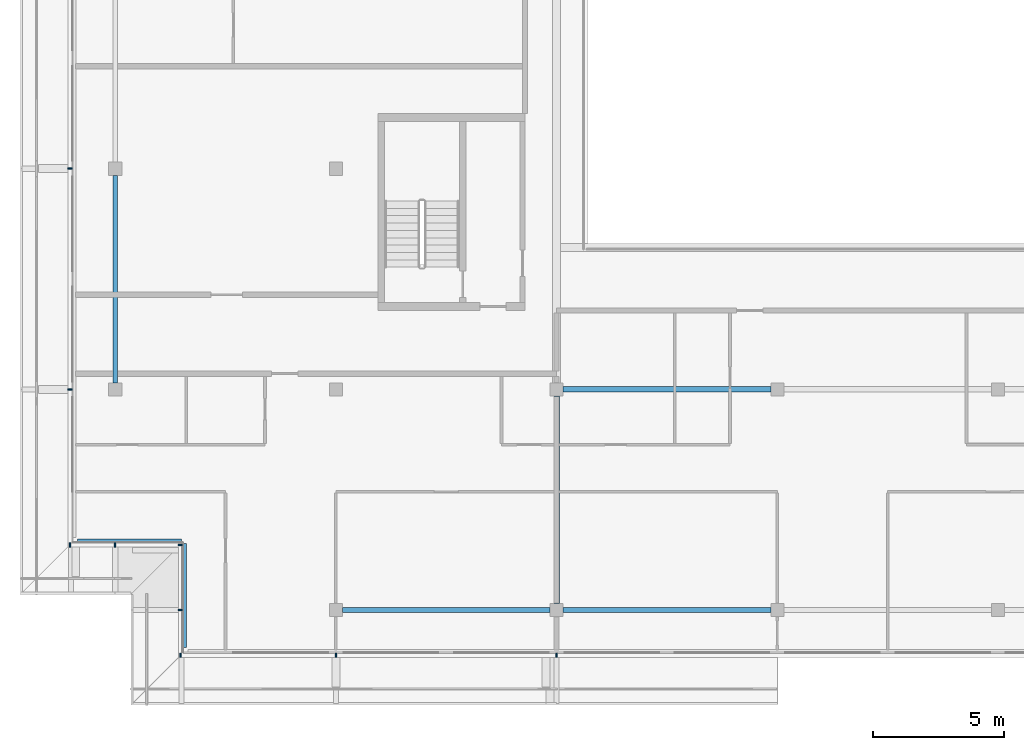
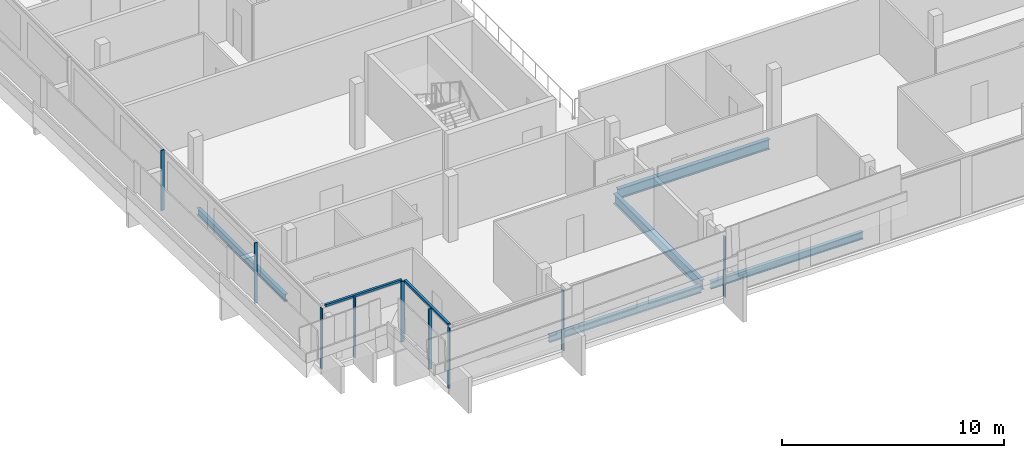
# One storey, part 2 of 27: 11 members, 5 beams, 4 elements without a shape of their own.
"""IFC4 building model written with IfcOpenShell, lengths in metres."""

from ifc_helpers import new_model, si_unit, direction, frame, origin, origin_2d, place, context, subcontext, project, spatial, rectangle, i_section, extrude, material, material_profile, profile_set, type_object, element, aggregate, save


model = new_model("IFC4")

# Units and contexts
model_context = context("Model", 3, precision=1e-05, world=origin(), true_north=direction((0.0, 1.0)))
body_context = subcontext(model_context, "Body", "Model", "MODEL_VIEW")
ifc_project = project(units=[si_unit("LENGTHUNIT", "METRE"), si_unit("AREAUNIT", "SQUARE_METRE"), si_unit("VOLUMEUNIT", "CUBIC_METRE"), si_unit("PLANEANGLEUNIT", "RADIAN"), si_unit("MASSUNIT", "GRAM", prefix="KILO")], contexts=[model_context])

# Site, building, storey
site_placement = place(None, origin())
site = spatial("IfcSite", under=ifc_project, at=site_placement, CompositionType="ELEMENT")
building_placement = place(site_placement, origin())
building = spatial("IfcBuilding", under=site, at=building_placement, Name="Saffron Gate Tower", CompositionType="ELEMENT")
storey_placement = place(building_placement, frame((0.0, 0.0, 274.35009765625)))
storey = spatial("IfcBuildingStorey", under=building, at=storey_placement, Name="L66", CompositionType="ELEMENT", Elevation=274.35009765625)

# Beams
ifc_material_1 = material(Name="Structural steel S355", Category="steel")
ifc_material_profile_1 = material_profile(ifc_material_1, i_section(OverallWidth=0.2099609375, OverallDepth=0.550048828125, WebThickness=0.010986328125, FlangeThickness=0.01708984375, FilletRadius=0.02392578125, at=origin_2d()))
ifc_profile_set_1 = profile_set([ifc_material_profile_1], Name="Structural steel S355")
beam_type_1 = type_object("IfcBeamType", Name="B12 IPE 550", PredefinedType="BEAM", material=ifc_profile_set_1)
for number, where, z_axis, x_axis, name in (
    (1, (75.0, 32.050048828125, -0.55517578125), (0.0, 1.0, 0.0), (-1.0, 0.0, 0.0), "B12 FLOOR GIRDER"),
    (2, (75.25, 40.199951171875, -0.55517578125), (1.0, 0.0, 0.0), (0.0, 1.0, 0.0), "B12 FLOOR GIRDER"),
):
    element("IfcBeam", number, at=place(storey_placement, frame(where, z_axis=z_axis, x_axis=x_axis)), inside=storey, type_object=beam_type_1, Name=name, PredefinedType="BEAM", context=body_context, shape_type="SweptSolid", body=[
        extrude(i_section(OverallWidth=0.2099609375, OverallDepth=0.550048828125, WebThickness=0.010986328125, FlangeThickness=0.01708984375, FilletRadius=0.02392578125, at=origin_2d()), origin(), (0.0, 0.0, 1.0), 7.89990234375),
    ])
ifc_material_profile_2 = material_profile(ifc_material_1, i_section(OverallWidth=0.179931640625, OverallDepth=0.39990234375, WebThickness=0.008544921875, FlangeThickness=0.013427734375, FilletRadius=0.02099609375, at=origin_2d()))
ifc_profile_set_2 = profile_set([ifc_material_profile_2], Name="Structural steel S355")
beam_type_2 = type_object("IfcBeamType", Name="B5 IPE 400", PredefinedType="SPANDREL", material=ifc_profile_set_2)
beam_placement = place(storey_placement, frame((58.199951171875, 40.449951171875, -0.47998046875), z_axis=(0.0, 1.0, 0.0), x_axis=(-1.0, 0.0, 0.0)))
element("IfcBeam", 3, at=beam_placement, inside=storey, type_object=beam_type_2, Name="B5 SPANDREL BEAM", PredefinedType="SPANDREL", context=body_context, shape_type="SweptSolid", body=[
    extrude(i_section(OverallWidth=0.179931640625, OverallDepth=0.39990234375, WebThickness=0.008544921875, FlangeThickness=0.013427734375, FilletRadius=0.02099609375, at=origin_2d()), origin(), (0.0, 0.0, 1.0), 7.900146484375),
])
for number, where, z_axis, x_axis, name in (
    (4, (66.85009765625, 31.800048828125, -0.47998046875), (1.0, 0.0, 0.0), (0.0, 1.0, 0.0), "B5 SPANDREL BEAM"),
    (5, (75.25, 31.800048828125, -0.47998046875), (1.0, 0.0, 0.0), (0.0, 1.0, 0.0), "B5 SPANDREL BEAM"),
):
    element("IfcBeam", number, at=place(storey_placement, frame(where, z_axis=z_axis, x_axis=x_axis)), inside=storey, type_object=beam_type_2, Name=name, PredefinedType="SPANDREL", context=body_context, shape_type="SweptSolid", body=[
        extrude(i_section(OverallWidth=0.179931640625, OverallDepth=0.39990234375, WebThickness=0.008544921875, FlangeThickness=0.013427734375, FilletRadius=0.02099609375, at=origin_2d()), origin(), (0.0, 0.0, 1.0), 7.89990234375),
    ])

# Curtain wall, members
ifc_material_2 = material(Name="Aluminium, bronze anodised", Category="aluminium")
curtain_wall_type_1 = type_object("IfcCurtainWallType", Name="CWS1 curtain wall front facade", PredefinedType="NOTDEFINED", material=ifc_material_2)
curtain_wall_1_placement = place(storey_placement, origin())
curtain_wall_1 = element("IfcCurtainWall", 6, at=curtain_wall_1_placement, inside=storey, type_object=curtain_wall_type_1, Name="CWS1 run 1", PredefinedType="NOTDEFINED")
ifc_material_profile_3 = material_profile(ifc_material_2, rectangle(XDim=0.159912109375, YDim=0.06005859375, at=origin_2d()))
ifc_profile_set_3 = profile_set([ifc_material_profile_3], Name="Aluminium, bronze anodised")
member_type_1 = type_object("IfcMemberType", Name="CWS1 mullion 60x160", PredefinedType="MULLION", material=ifc_profile_set_3)
member_1_placement = place(storey_placement, frame((60.679931640625, 30.080078125, 0.0), z_axis=(0.0, 0.0, 1.0), x_axis=(0.0, 1.0, 0.0)))
member_1 = element("IfcMember", 7, at=member_1_placement, type_object=member_type_1, Name="CWS1 mullion 1", PredefinedType="MULLION", context=body_context, shape_type="SweptSolid", body=[
    extrude(rectangle(XDim=0.159912109375, YDim=0.06005859375, at=origin_2d()), origin(), (0.0, 0.0, 1.0), 3.31982421875),
])
member_2_placement = place(storey_placement, frame((66.60009765625, 30.080078125, 0.0), z_axis=(0.0, 0.0, 1.0), x_axis=(0.0, 1.0, 0.0)))
member_2 = element("IfcMember", 8, at=member_2_placement, type_object=member_type_1, Name="CWS1 mullion 2", PredefinedType="MULLION", context=body_context, shape_type="SweptSolid", body=[
    extrude(rectangle(XDim=0.159912109375, YDim=0.06005859375, at=origin_2d()), origin(), (0.0, 0.0, 1.0), 3.31982421875),
])
member_3_placement = place(storey_placement, frame((75.0, 30.080078125, 0.0), z_axis=(0.0, 0.0, 1.0), x_axis=(0.0, 1.0, 0.0)))
member_3 = element("IfcMember", 9, at=member_3_placement, type_object=member_type_1, Name="CWS1 mullion 3", PredefinedType="MULLION", context=body_context, shape_type="SweptSolid", body=[
    extrude(rectangle(XDim=0.159912109375, YDim=0.06005859375, at=origin_2d()), origin(), (0.0, 0.0, 1.0), 3.31982421875),
])
aggregate(curtain_wall_1, [member_1, member_2, member_3])

curtain_wall_type_2 = type_object("IfcCurtainWallType", Name="CWS2 curtain wall side facades", PredefinedType="NOTDEFINED", material=ifc_material_2)
curtain_wall_2_placement = place(storey_placement, origin())
curtain_wall_2 = element("IfcCurtainWall", 10, at=curtain_wall_2_placement, inside=storey, type_object=curtain_wall_type_2, Name="CWS2 run 10", PredefinedType="NOTDEFINED")
ifc_material_profile_4 = material_profile(ifc_material_2, rectangle(XDim=0.159912109375, YDim=0.06005859375, at=origin_2d()))
ifc_profile_set_4 = profile_set([ifc_material_profile_4], Name="Aluminium, bronze anodised")
member_type_2 = type_object("IfcMemberType", Name="CWS2 mullion 60x160", PredefinedType="MULLION", material=ifc_profile_set_4)
member_4_placement = place(storey_placement, frame((56.47998046875, 48.60009765625, 0.0), z_axis=(0.0, 0.0, 1.0), x_axis=(1.0, 0.0, 0.0)))
member_4 = element("IfcMember", 11, at=member_4_placement, type_object=member_type_2, Name="CWS2 mullion 4", PredefinedType="MULLION", context=body_context, shape_type="SweptSolid", body=[
    extrude(rectangle(XDim=0.159912109375, YDim=0.06005859375, at=origin_2d()), origin(), (0.0, 0.0, 1.0), 3.31982421875),
])
member_5_placement = place(storey_placement, frame((56.47998046875, 40.199951171875, 0.0), z_axis=(0.0, 0.0, 1.0), x_axis=(1.0, 0.0, 0.0)))
member_5 = element("IfcMember", 12, at=member_5_placement, type_object=member_type_2, Name="CWS2 mullion 5", PredefinedType="MULLION", context=body_context, shape_type="SweptSolid", body=[
    extrude(rectangle(XDim=0.159912109375, YDim=0.06005859375, at=origin_2d()), origin(), (0.0, 0.0, 1.0), 3.31982421875),
])
aggregate(curtain_wall_2, [member_4, member_5])

# Curtain wall, member
curtain_wall_type_3 = type_object("IfcCurtainWallType", Name="CWS4 curtain wall corner returns", PredefinedType="NOTDEFINED", material=ifc_material_2)
curtain_wall_3_placement = place(storey_placement, origin())
curtain_wall_3 = element("IfcCurtainWall", 13, at=curtain_wall_3_placement, inside=storey, type_object=curtain_wall_type_3, Name="CWS4 run 11", PredefinedType="NOTDEFINED")
ifc_material_profile_5 = material_profile(ifc_material_2, rectangle(XDim=0.1201171875, YDim=0.1201171875, at=origin_2d()))
ifc_profile_set_5 = profile_set([ifc_material_profile_5], Name="Aluminium, bronze anodised")
member_type_3 = type_object("IfcMemberType", Name="CWS4 head transom", PredefinedType="USERDEFINED", material=ifc_profile_set_5)
member_6_placement = place(storey_placement, frame((56.76806640625, 34.447998046875, 3.260009765625), z_axis=(1.0, 0.0, 0.0), x_axis=(0.0, 1.0, 0.0)))
member_6 = element("IfcMember", 14, at=member_6_placement, type_object=member_type_3, Name="CWS4 head transom", ObjectType="TRANSOM", PredefinedType="USERDEFINED", context=body_context, shape_type="SweptSolid", body=[
    extrude(rectangle(XDim=0.1201171875, YDim=0.1201171875, at=origin_2d()), origin(), (0.0, 0.0, 1.0), 3.9599609375),
])

curtain_wall_4_placement = place(storey_placement, origin())
curtain_wall_4 = element("IfcCurtainWall", 15, at=curtain_wall_4_placement, inside=storey, type_object=curtain_wall_type_3, Name="CWS4 run 12", PredefinedType="NOTDEFINED")
member_7_placement = place(storey_placement, frame((60.847900390625, 34.327880859375, 3.260009765625), z_axis=(0.0, -1.0, 0.0), x_axis=(1.0, 0.0, 0.0)))
member_7 = element("IfcMember", 16, at=member_7_placement, type_object=member_type_3, Name="CWS4 head transom", ObjectType="TRANSOM", PredefinedType="USERDEFINED", context=body_context, shape_type="SweptSolid", body=[
    extrude(rectangle(XDim=0.1201171875, YDim=0.1201171875, at=origin_2d()), origin(), (0.0, 0.0, 1.0), 3.9599609375),
])

# Member
ifc_material_profile_6 = material_profile(ifc_material_2, rectangle(XDim=0.159912109375, YDim=0.06005859375, at=origin_2d()))
ifc_profile_set_6 = profile_set([ifc_material_profile_6], Name="Aluminium, bronze anodised")
member_type_4 = type_object("IfcMemberType", Name="CWS4 mullion 60x160", PredefinedType="MULLION", material=ifc_profile_set_6)
member_8_placement = place(storey_placement, frame((56.47998046875, 34.280029296875, 0.0), z_axis=(0.0, 0.0, 1.0), x_axis=(0.0, 1.0, 0.0)))
member_8 = element("IfcMember", 17, at=member_8_placement, type_object=member_type_4, Name="CWS4 mullion 1", PredefinedType="MULLION", context=body_context, shape_type="SweptSolid", body=[
    extrude(rectangle(XDim=0.159912109375, YDim=0.06005859375, at=origin_2d()), origin(), (0.0, 0.0, 1.0), 3.31982421875),
])

member_9_placement = place(storey_placement, frame((58.199951171875, 34.280029296875, 0.0), z_axis=(0.0, 0.0, 1.0), x_axis=(0.0, 1.0, 0.0)))
member_9 = element("IfcMember", 18, at=member_9_placement, type_object=member_type_4, Name="CWS4 mullion 2", PredefinedType="MULLION", context=body_context, shape_type="SweptSolid", body=[
    extrude(rectangle(XDim=0.159912109375, YDim=0.06005859375, at=origin_2d()), origin(), (0.0, 0.0, 1.0), 3.31982421875),
])

aggregate(curtain_wall_3, [member_8, member_9, member_6])

member_10_placement = place(storey_placement, frame((60.679931640625, 34.280029296875, 0.0), z_axis=(0.0, 0.0, 1.0), x_axis=(1.0, 0.0, 0.0)))
member_10 = element("IfcMember", 19, at=member_10_placement, type_object=member_type_4, Name="CWS4 mullion 1", PredefinedType="MULLION", context=body_context, shape_type="SweptSolid", body=[
    extrude(rectangle(XDim=0.159912109375, YDim=0.06005859375, at=origin_2d()), origin(), (0.0, 0.0, 1.0), 3.31982421875),
])

member_11_placement = place(storey_placement, frame((60.679931640625, 31.800048828125, 0.0), z_axis=(0.0, 0.0, 1.0), x_axis=(1.0, 0.0, 0.0)))
member_11 = element("IfcMember", 20, at=member_11_placement, type_object=member_type_4, Name="CWS4 mullion 2", PredefinedType="MULLION", context=body_context, shape_type="SweptSolid", body=[
    extrude(rectangle(XDim=0.159912109375, YDim=0.06005859375, at=origin_2d()), origin(), (0.0, 0.0, 1.0), 3.31982421875),
])

aggregate(curtain_wall_4, [member_10, member_11, member_7])

save(model, "model.ifc")
